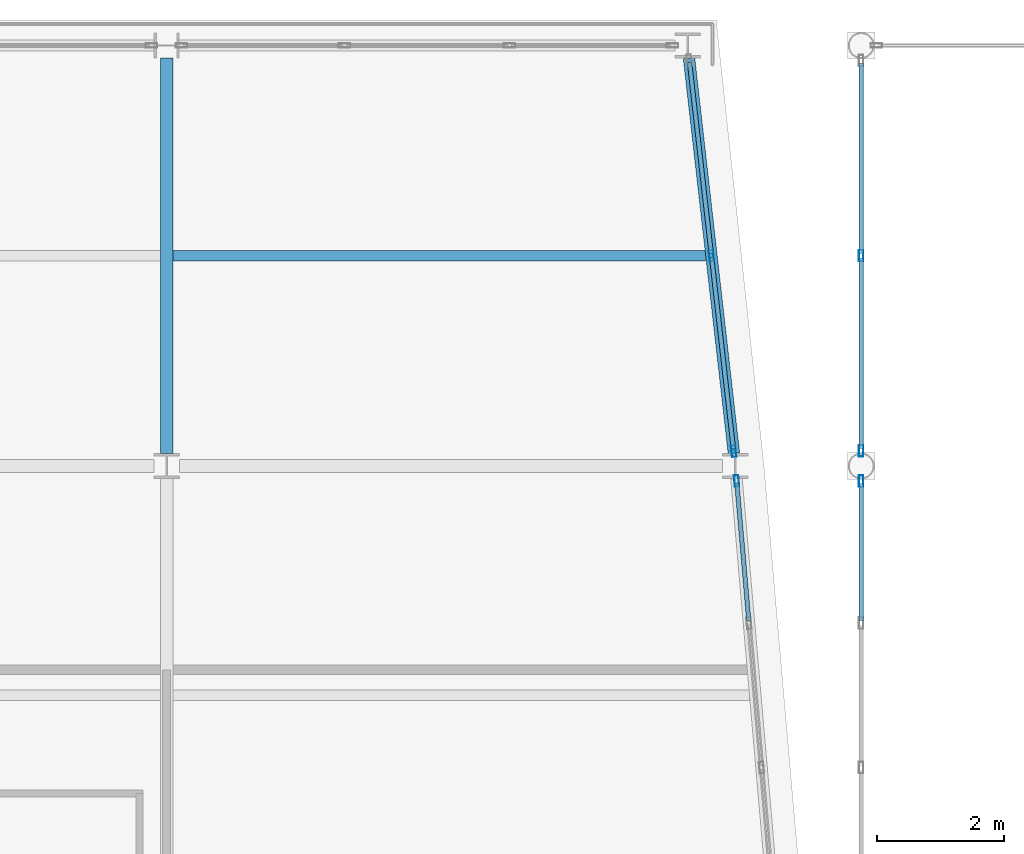
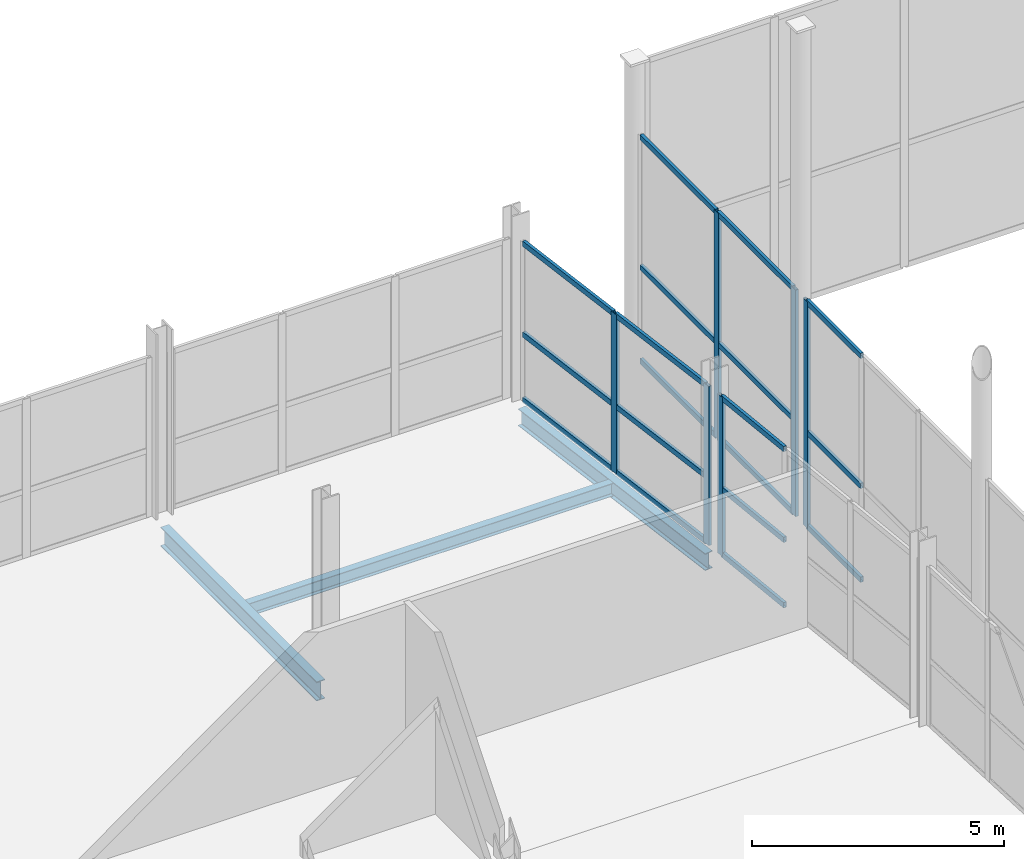
# One storey, part 35 of 77: 24 members, 3 beams, 4 elements without a shape of their own.
"""IFC4 building model written with IfcOpenShell, lengths in metres."""

from ifc_helpers import new_model, si_unit, direction, frame, origin, origin_2d, place, context, subcontext, project, spatial, hollow_rectangle, i_section, extrude, material, layer, layer_set, material_profile, profile_set, type_object, element, aggregate, save


model = new_model("IFC4")

# Units and contexts
model_context = context("Model", 3, precision=1e-05, world=origin(), true_north=direction((0.0, 1.0)))
body_context = subcontext(model_context, "Body", "Model", "MODEL_VIEW")
ifc_project = project(units=[si_unit("LENGTHUNIT", "METRE"), si_unit("AREAUNIT", "SQUARE_METRE"), si_unit("VOLUMEUNIT", "CUBIC_METRE"), si_unit("PLANEANGLEUNIT", "RADIAN"), si_unit("MASSUNIT", "GRAM", prefix="KILO")], contexts=[model_context])

# Site, building, storey
site_placement = place(None, origin())
site = spatial("IfcSite", under=ifc_project, at=site_placement, CompositionType="ELEMENT")
building_placement = place(site_placement, origin())
building = spatial("IfcBuilding", under=site, at=building_placement, Name="Quillay Park Conservatory", CompositionType="ELEMENT")
storey_placement = place(building_placement, frame((0.0, 0.0, 5.39990234375)))
storey = spatial("IfcBuildingStorey", under=building, at=storey_placement, Name="L01", CompositionType="ELEMENT", Elevation=5.39990234375)

# Beam
ifc_material_1 = material(Name="Steel ASTM A992 Grade 50", Category="steel")
ifc_material_profile_1 = material_profile(ifc_material_1, i_section(OverallWidth=0.166015625, OverallDepth=0.31298828125, WebThickness=0.006591796875, FlangeThickness=0.01123046875, FilletRadius=0.010009765625, at=origin_2d()), Name="W310x45")
ifc_profile_set_1 = profile_set([ifc_material_profile_1], Name="Steel ASTM A992 Grade 50")
beam_type_1 = type_object("IfcBeamType", Name="COMPOSITE FLOOR JOIST W310 X45", PredefinedType="JOIST", material=ifc_profile_set_1)
beam_1_placement = place(storey_placement, frame((19.845947265625, 110.10009765625, -0.3564453125), z_axis=(1.0, 0.0, 0.0), x_axis=(0.0, 1.0, 0.0)))
element("IfcBeam", 1, at=beam_1_placement, inside=storey, type_object=beam_type_1, Name="L01 beam BM-J-0174", PredefinedType="JOIST", context=body_context, shape_type="SweptSolid", body=[
    extrude(i_section(OverallWidth=0.166015625, OverallDepth=0.31298828125, WebThickness=0.006591796875, FlangeThickness=0.01123046875, FilletRadius=0.010009765625, at=origin_2d()), origin(), (0.0, 0.0, 1.0), 8.364013671875),
])

# Curtain wall, member
ifc_material_2 = material(Name="Thermally Broken Anodised Aluminium 6063-T6", Category="aluminium")
ifc_layer_1 = layer(ifc_material_2, 0.179931640625)
ifc_layer_set_1 = layer_set([ifc_layer_1], Name="UNITISED CURTAIN WALL TOWER (Thermally Broken Anodised Aluminium 6063-T6)")
curtain_wall_type_1 = type_object("IfcCurtainWallType", Name="UNITISED CURTAIN WALL TOWER", PredefinedType="USERDEFINED", material=ifc_layer_set_1)
curtain_wall_1_placement = place(storey_placement, origin())
curtain_wall_1 = element("IfcCurtainWall", 2, at=curtain_wall_1_placement, inside=storey, type_object=curtain_wall_type_1, Name="L01 Unitised Curtain Wall 014", ObjectType="UNITISED CURTAIN WALL", PredefinedType="USERDEFINED")
ifc_material_3 = material(Name="Thermally Broken Anodised Aluminium 6063-T6", Category="aluminium")
ifc_material_profile_2 = material_profile(ifc_material_3, hollow_rectangle(XDim=0.070068359375, YDim=0.179931640625, WallThickness=0.00390625, at=origin_2d()), Name="AL70x180x4")
ifc_profile_set_2 = profile_set([ifc_material_profile_2], Name="Thermally Broken Anodised Aluminium 6063-T6")
member_type_1 = type_object("IfcMemberType", Name="CURTAIN WALL MULLION 70 X180", PredefinedType="MULLION", material=ifc_profile_set_2)
member_1_placement = place(storey_placement, frame((28.6953125, 106.56591796875, 0.0), z_axis=(0.0, 0.0, 1.0), x_axis=(0.996253548413, 0.086480444465, 0.0)))
member_1 = element("IfcMember", 3, at=member_1_placement, type_object=member_type_1, Name="CW-T1 mullion 1", PredefinedType="MULLION", context=body_context, shape_type="SweptSolid", body=[
    extrude(hollow_rectangle(XDim=0.070068359375, YDim=0.179931640625, WallThickness=0.00390625, at=origin_2d()), origin(), (0.0, 0.0, 1.0), 3.859130859375),
])

# Curtain wall, members
curtain_wall_2_placement = place(storey_placement, origin())
curtain_wall_2 = element("IfcCurtainWall", 4, at=curtain_wall_2_placement, inside=storey, type_object=curtain_wall_type_1, Name="L01 Unitised Curtain Wall 015", ObjectType="UNITISED CURTAIN WALL", PredefinedType="USERDEFINED")
member_2_placement = place(storey_placement, frame((28.300048828125, 110.10009765625, 0.0), z_axis=(0.0, 0.0, 1.0), x_axis=(0.993605989969, 0.112903218278, 0.0)))
member_2 = element("IfcMember", 5, at=member_2_placement, type_object=member_type_1, Name="CW-T1 mullion 2", PredefinedType="MULLION", context=body_context, shape_type="SweptSolid", body=[
    extrude(hollow_rectangle(XDim=0.070068359375, YDim=0.179931640625, WallThickness=0.00390625, at=origin_2d()), origin(), (0.0, 0.0, 1.0), 3.859130859375),
])
member_3_placement = place(storey_placement, frame((28.6484375, 107.033447265625, 0.0), z_axis=(0.0, 0.0, 1.0), x_axis=(0.993605989969, 0.112903218278, 0.0)))
member_3 = element("IfcMember", 6, at=member_3_placement, type_object=member_type_1, Name="CW-T1 mullion 3", PredefinedType="MULLION", context=body_context, shape_type="SweptSolid", body=[
    extrude(hollow_rectangle(XDim=0.070068359375, YDim=0.179931640625, WallThickness=0.00390625, at=origin_2d()), origin(), (0.0, 0.0, 1.0), 3.859130859375),
])

# Curtain wall, member
ifc_material_4 = material(Name="Thermally Broken Anodised Aluminium 6063-T6", Category="aluminium")
ifc_layer_2 = layer(ifc_material_4, 0.219970703125)
ifc_layer_set_2 = layer_set([ifc_layer_2], Name="UNITISED CURTAIN WALL CONSERVATORY (Thermally Broken Anodised Aluminium 6063-T6)")
curtain_wall_type_2 = type_object("IfcCurtainWallType", Name="UNITISED CURTAIN WALL CONSERVATORY", PredefinedType="USERDEFINED", material=ifc_layer_set_2)
curtain_wall_3_placement = place(storey_placement, origin())
curtain_wall_3 = element("IfcCurtainWall", 7, at=curtain_wall_3_placement, inside=storey, type_object=curtain_wall_type_2, Name="L01 Unitised Curtain Wall 168", ObjectType="UNITISED CURTAIN WALL", PredefinedType="USERDEFINED")
member_4_placement = place(storey_placement, frame((30.64990234375, 106.56298828125, 0.0), z_axis=(0.0, 0.0, 1.0), x_axis=(-1.0, 0.0, 0.0)))
member_4 = element("IfcMember", 8, at=member_4_placement, type_object=member_type_1, Name="CW-C1 mullion 4", PredefinedType="MULLION", context=body_context, shape_type="SweptSolid", body=[
    extrude(hollow_rectangle(XDim=0.070068359375, YDim=0.179931640625, WallThickness=0.00390625, at=origin_2d()), origin(), (0.0, 0.0, 1.0), 5.5),
])

# Curtain wall, members
curtain_wall_4_placement = place(storey_placement, origin())
curtain_wall_4 = element("IfcCurtainWall", 9, at=curtain_wall_4_placement, inside=storey, type_object=curtain_wall_type_2, Name="L01 Unitised Curtain Wall 172", ObjectType="UNITISED CURTAIN WALL", PredefinedType="USERDEFINED")
member_5_placement = place(storey_placement, frame((30.64990234375, 107.037109375, 0.0), z_axis=(0.0, 0.0, 1.0), x_axis=(-1.0, 0.0, 0.0)))
member_5 = element("IfcMember", 10, at=member_5_placement, type_object=member_type_1, Name="CW-C1 mullion 1", PredefinedType="MULLION", context=body_context, shape_type="SweptSolid", body=[
    extrude(hollow_rectangle(XDim=0.070068359375, YDim=0.179931640625, WallThickness=0.00390625, at=origin_2d()), origin(), (0.0, 0.0, 1.0), 5.5),
])
member_6_placement = place(storey_placement, frame((30.64990234375, 110.10009765625, 0.0), z_axis=(0.0, 0.0, 1.0), x_axis=(-1.0, 0.0, 0.0)))
member_6 = element("IfcMember", 11, at=member_6_placement, type_object=member_type_1, Name="CW-C1 mullion 2", PredefinedType="MULLION", context=body_context, shape_type="SweptSolid", body=[
    extrude(hollow_rectangle(XDim=0.070068359375, YDim=0.179931640625, WallThickness=0.00390625, at=origin_2d()), origin(), (0.0, 0.0, 1.0), 5.5),
])

# Member
ifc_material_5 = material(Name="Thermally Broken Anodised Aluminium 6063-T6", Category="aluminium")
ifc_material_profile_3 = material_profile(ifc_material_5, hollow_rectangle(XDim=0.070068359375, YDim=0.1298828125, WallThickness=0.003173828125, at=origin_2d()), Name="AL70x130x3.2")
ifc_profile_set_3 = profile_set([ifc_material_profile_3], Name="Thermally Broken Anodised Aluminium 6063-T6")
member_type_2 = type_object("IfcMemberType", Name="CURTAIN WALL TRANSOM 70 X130", PredefinedType="USERDEFINED", material=ifc_profile_set_3)
member_7_placement = place(storey_placement, frame((28.6982421875, 106.531005859375, 0.03515625), z_axis=(0.086488870651, -0.996252816936, 0.0), x_axis=(0.996252816936, 0.086488870651, 0.0)))
member_7 = element("IfcMember", 12, at=member_7_placement, type_object=member_type_2, Name="CW-T1 transom 1.1", ObjectType="TRANSOM", PredefinedType="USERDEFINED", context=body_context, shape_type="SweptSolid", body=[
    extrude(hollow_rectangle(XDim=0.070068359375, YDim=0.1298828125, WallThickness=0.003173828125, at=origin_2d()), origin(), (0.0, 0.0, 1.0), 2.170654296875),
])

member_8_placement = place(storey_placement, frame((28.6982421875, 106.531005859375, 1.620849609375), z_axis=(0.086488870651, -0.996252816936, 0.0), x_axis=(0.996252816936, 0.086488870651, 0.0)))
member_8 = element("IfcMember", 13, at=member_8_placement, type_object=member_type_2, Name="CW-T1 transom 1.2", ObjectType="TRANSOM", PredefinedType="USERDEFINED", context=body_context, shape_type="SweptSolid", body=[
    extrude(hollow_rectangle(XDim=0.070068359375, YDim=0.1298828125, WallThickness=0.003173828125, at=origin_2d()), origin(), (0.0, 0.0, 1.0), 2.170654296875),
])

member_9_placement = place(storey_placement, frame((28.6982421875, 106.531005859375, 3.82421875), z_axis=(0.086488870651, -0.996252816936, 0.0), x_axis=(0.996252816936, 0.086488870651, 0.0)))
member_9 = element("IfcMember", 14, at=member_9_placement, type_object=member_type_2, Name="CW-T1 transom 1.3", ObjectType="TRANSOM", PredefinedType="USERDEFINED", context=body_context, shape_type="SweptSolid", body=[
    extrude(hollow_rectangle(XDim=0.070068359375, YDim=0.1298828125, WallThickness=0.003173828125, at=origin_2d()), origin(), (0.0, 0.0, 1.0), 2.170654296875),
])

aggregate(curtain_wall_1, [member_1, member_7, member_8, member_9])

member_10_placement = place(storey_placement, frame((27.95556640625, 113.1318359375, 0.03515625), z_axis=(0.112909688044, -0.99360525479, 0.0), x_axis=(0.99360525479, 0.112909688044, 0.0)))
member_10 = element("IfcMember", 15, at=member_10_placement, type_object=member_type_2, Name="CW-T1 transom 1.1", ObjectType="TRANSOM", PredefinedType="USERDEFINED", context=body_context, shape_type="SweptSolid", body=[
    extrude(hollow_rectangle(XDim=0.070068359375, YDim=0.1298828125, WallThickness=0.003173828125, at=origin_2d()), origin(), (0.0, 0.0, 1.0), 3.016357421875),
])

member_11_placement = place(storey_placement, frame((27.95556640625, 113.1318359375, 1.620849609375), z_axis=(0.112909688044, -0.99360525479, 0.0), x_axis=(0.99360525479, 0.112909688044, 0.0)))
member_11 = element("IfcMember", 16, at=member_11_placement, type_object=member_type_2, Name="CW-T1 transom 1.2", ObjectType="TRANSOM", PredefinedType="USERDEFINED", context=body_context, shape_type="SweptSolid", body=[
    extrude(hollow_rectangle(XDim=0.070068359375, YDim=0.1298828125, WallThickness=0.003173828125, at=origin_2d()), origin(), (0.0, 0.0, 1.0), 3.016357421875),
])

member_12_placement = place(storey_placement, frame((27.95556640625, 113.1318359375, 3.82421875), z_axis=(0.112909688044, -0.99360525479, 0.0), x_axis=(0.99360525479, 0.112909688044, 0.0)))
member_12 = element("IfcMember", 17, at=member_12_placement, type_object=member_type_2, Name="CW-T1 transom 1.3", ObjectType="TRANSOM", PredefinedType="USERDEFINED", context=body_context, shape_type="SweptSolid", body=[
    extrude(hollow_rectangle(XDim=0.070068359375, YDim=0.1298828125, WallThickness=0.003173828125, at=origin_2d()), origin(), (0.0, 0.0, 1.0), 3.016357421875),
])

member_13_placement = place(storey_placement, frame((28.303955078125, 110.065185546875, 0.03515625), z_axis=(0.112918769109, -0.993604222808, 0.0), x_axis=(0.993604222808, 0.112918769109, 0.0)))
member_13 = element("IfcMember", 18, at=member_13_placement, type_object=member_type_2, Name="CW-T1 transom 2.1", ObjectType="TRANSOM", PredefinedType="USERDEFINED", context=body_context, shape_type="SweptSolid", body=[
    extrude(hollow_rectangle(XDim=0.070068359375, YDim=0.1298828125, WallThickness=0.003173828125, at=origin_2d()), origin(), (0.0, 0.0, 1.0), 3.01611328125),
])

member_14_placement = place(storey_placement, frame((28.303955078125, 110.065185546875, 1.620849609375), z_axis=(0.112918769109, -0.993604222808, 0.0), x_axis=(0.993604222808, 0.112918769109, 0.0)))
member_14 = element("IfcMember", 19, at=member_14_placement, type_object=member_type_2, Name="CW-T1 transom 2.2", ObjectType="TRANSOM", PredefinedType="USERDEFINED", context=body_context, shape_type="SweptSolid", body=[
    extrude(hollow_rectangle(XDim=0.070068359375, YDim=0.1298828125, WallThickness=0.003173828125, at=origin_2d()), origin(), (0.0, 0.0, 1.0), 3.01611328125),
])

member_15_placement = place(storey_placement, frame((28.303955078125, 110.065185546875, 3.82421875), z_axis=(0.112918769109, -0.993604222808, 0.0), x_axis=(0.993604222808, 0.112918769109, 0.0)))
member_15 = element("IfcMember", 20, at=member_15_placement, type_object=member_type_2, Name="CW-T1 transom 2.3", ObjectType="TRANSOM", PredefinedType="USERDEFINED", context=body_context, shape_type="SweptSolid", body=[
    extrude(hollow_rectangle(XDim=0.070068359375, YDim=0.1298828125, WallThickness=0.003173828125, at=origin_2d()), origin(), (0.0, 0.0, 1.0), 3.01611328125),
])

aggregate(curtain_wall_2, [member_2, member_3, member_10, member_11, member_12, member_13, member_14, member_15])

member_16_placement = place(storey_placement, frame((30.64990234375, 104.36767578125, 0.03515625), z_axis=(0.0, 1.0, 0.0), x_axis=(-1.0, 0.0, 0.0)))
member_16 = element("IfcMember", 21, at=member_16_placement, type_object=member_type_2, Name="CW-C1 transom 3.1", ObjectType="TRANSOM", PredefinedType="USERDEFINED", context=body_context, shape_type="SweptSolid", body=[
    extrude(hollow_rectangle(XDim=0.070068359375, YDim=0.1298828125, WallThickness=0.003173828125, at=origin_2d()), origin(), (0.0, 0.0, 1.0), 2.160400390625),
])

member_17_placement = place(storey_placement, frame((30.64990234375, 104.36767578125, 2.31005859375), z_axis=(0.0, 1.0, 0.0), x_axis=(-1.0, 0.0, 0.0)))
member_17 = element("IfcMember", 22, at=member_17_placement, type_object=member_type_2, Name="CW-C1 transom 3.2", ObjectType="TRANSOM", PredefinedType="USERDEFINED", context=body_context, shape_type="SweptSolid", body=[
    extrude(hollow_rectangle(XDim=0.070068359375, YDim=0.1298828125, WallThickness=0.003173828125, at=origin_2d()), origin(), (0.0, 0.0, 1.0), 2.160400390625),
])

member_18_placement = place(storey_placement, frame((30.64990234375, 104.36767578125, 5.465087890625), z_axis=(0.0, 1.0, 0.0), x_axis=(-1.0, 0.0, 0.0)))
member_18 = element("IfcMember", 23, at=member_18_placement, type_object=member_type_2, Name="CW-C1 transom 3.3", ObjectType="TRANSOM", PredefinedType="USERDEFINED", context=body_context, shape_type="SweptSolid", body=[
    extrude(hollow_rectangle(XDim=0.070068359375, YDim=0.1298828125, WallThickness=0.003173828125, at=origin_2d()), origin(), (0.0, 0.0, 1.0), 2.160400390625),
])

aggregate(curtain_wall_3, [member_4, member_16, member_17, member_18])

member_19_placement = place(storey_placement, frame((30.64990234375, 107.072021484375, 0.03515625), z_axis=(0.0, 1.0, 0.0), x_axis=(-1.0, 0.0, 0.0)))
member_19 = element("IfcMember", 24, at=member_19_placement, type_object=member_type_2, Name="CW-C1 transom 1.1", ObjectType="TRANSOM", PredefinedType="USERDEFINED", context=body_context, shape_type="SweptSolid", body=[
    extrude(hollow_rectangle(XDim=0.070068359375, YDim=0.1298828125, WallThickness=0.003173828125, at=origin_2d()), origin(), (0.0, 0.0, 1.0), 2.992919921875),
])

member_20_placement = place(storey_placement, frame((30.64990234375, 107.072021484375, 2.31005859375), z_axis=(0.0, 1.0, 0.0), x_axis=(-1.0, 0.0, 0.0)))
member_20 = element("IfcMember", 25, at=member_20_placement, type_object=member_type_2, Name="CW-C1 transom 1.2", ObjectType="TRANSOM", PredefinedType="USERDEFINED", context=body_context, shape_type="SweptSolid", body=[
    extrude(hollow_rectangle(XDim=0.070068359375, YDim=0.1298828125, WallThickness=0.003173828125, at=origin_2d()), origin(), (0.0, 0.0, 1.0), 2.992919921875),
])

member_21_placement = place(storey_placement, frame((30.64990234375, 107.072021484375, 5.465087890625), z_axis=(0.0, 1.0, 0.0), x_axis=(-1.0, 0.0, 0.0)))
member_21 = element("IfcMember", 26, at=member_21_placement, type_object=member_type_2, Name="CW-C1 transom 1.3", ObjectType="TRANSOM", PredefinedType="USERDEFINED", context=body_context, shape_type="SweptSolid", body=[
    extrude(hollow_rectangle(XDim=0.070068359375, YDim=0.1298828125, WallThickness=0.003173828125, at=origin_2d()), origin(), (0.0, 0.0, 1.0), 2.992919921875),
])

member_22_placement = place(storey_placement, frame((30.64990234375, 110.135009765625, 0.03515625), z_axis=(0.0, 1.0, 0.0), x_axis=(-1.0, 0.0, 0.0)))
member_22 = element("IfcMember", 27, at=member_22_placement, type_object=member_type_2, Name="CW-C1 transom 2.1", ObjectType="TRANSOM", PredefinedType="USERDEFINED", context=body_context, shape_type="SweptSolid", body=[
    extrude(hollow_rectangle(XDim=0.070068359375, YDim=0.1298828125, WallThickness=0.003173828125, at=origin_2d()), origin(), (0.0, 0.0, 1.0), 2.992919921875),
])

member_23_placement = place(storey_placement, frame((30.64990234375, 110.135009765625, 2.31005859375), z_axis=(0.0, 1.0, 0.0), x_axis=(-1.0, 0.0, 0.0)))
member_23 = element("IfcMember", 28, at=member_23_placement, type_object=member_type_2, Name="CW-C1 transom 2.2", ObjectType="TRANSOM", PredefinedType="USERDEFINED", context=body_context, shape_type="SweptSolid", body=[
    extrude(hollow_rectangle(XDim=0.070068359375, YDim=0.1298828125, WallThickness=0.003173828125, at=origin_2d()), origin(), (0.0, 0.0, 1.0), 2.992919921875),
])

member_24_placement = place(storey_placement, frame((30.64990234375, 110.135009765625, 5.465087890625), z_axis=(0.0, 1.0, 0.0), x_axis=(-1.0, 0.0, 0.0)))
member_24 = element("IfcMember", 29, at=member_24_placement, type_object=member_type_2, Name="CW-C1 transom 2.3", ObjectType="TRANSOM", PredefinedType="USERDEFINED", context=body_context, shape_type="SweptSolid", body=[
    extrude(hollow_rectangle(XDim=0.070068359375, YDim=0.1298828125, WallThickness=0.003173828125, at=origin_2d()), origin(), (0.0, 0.0, 1.0), 2.992919921875),
])

aggregate(curtain_wall_4, [member_5, member_6, member_19, member_20, member_21, member_22, member_23, member_24])

# Beams
ifc_material_6 = material(Name="Steel ASTM A992 Grade 50", Category="steel")
ifc_material_profile_4 = material_profile(ifc_material_6, i_section(OverallWidth=0.179931640625, OverallDepth=0.4130859375, WebThickness=0.009765625, FlangeThickness=0.01611328125, FilletRadius=0.011962890625, at=origin_2d()), Name="W410x74")
ifc_profile_set_4 = profile_set([ifc_material_profile_4], Name="Steel ASTM A992 Grade 50")
beam_type_2 = type_object("IfcBeamType", Name="PERIMETER SPANDREL BEAM W410 X74", PredefinedType="SPANDREL", material=ifc_profile_set_4)
beam_2_placement = place(storey_placement, frame((28.65283203125, 106.9951171875, -0.406494140625), z_axis=(-0.112896540354, 0.993606748757, 0.0), x_axis=(-0.993606748757, -0.112896540354, 0.0)))
element("IfcBeam", 30, at=beam_2_placement, inside=storey, type_object=beam_type_2, Name="L01 beam BM-SPE-0170", PredefinedType="SPANDREL", context=body_context, shape_type="SweptSolid", body=[
    extrude(i_section(OverallWidth=0.179931640625, OverallDepth=0.4130859375, WebThickness=0.009765625, FlangeThickness=0.01611328125, FilletRadius=0.011962890625, at=origin_2d()), origin(), (0.0, 0.0, 1.0), 6.249755859375),
])
ifc_material_7 = material(Name="Steel ASTM A992 Grade 50", Category="steel")
ifc_material_profile_5 = material_profile(ifc_material_7, i_section(OverallWidth=0.19189453125, OverallDepth=0.462890625, WebThickness=0.010498046875, FlangeThickness=0.017578125, FilletRadius=0.012939453125, at=origin_2d()), Name="W460x89")
ifc_profile_set_5 = profile_set([ifc_material_profile_5], Name="Steel ASTM A992 Grade 50")
beam_type_3 = type_object("IfcBeamType", Name="PRIMARY FLOOR GIRDER W460 X89", PredefinedType="BEAM", material=ifc_profile_set_5)
beam_3_placement = place(storey_placement, frame((19.75, 106.99658203125, -0.431396484375), z_axis=(0.0, 1.0, 0.0), x_axis=(-1.0, 0.0, 0.0)))
element("IfcBeam", 31, at=beam_3_placement, inside=storey, type_object=beam_type_3, Name="L01 beam BM-GNS-0172", PredefinedType="BEAM", context=body_context, shape_type="SweptSolid", body=[
    extrude(i_section(OverallWidth=0.19189453125, OverallDepth=0.462890625, WebThickness=0.010498046875, FlangeThickness=0.017578125, FilletRadius=0.012939453125, at=origin_2d()), origin(), (0.0, 0.0, 1.0), 6.203857421875),
])

save(model, "model.ifc")
